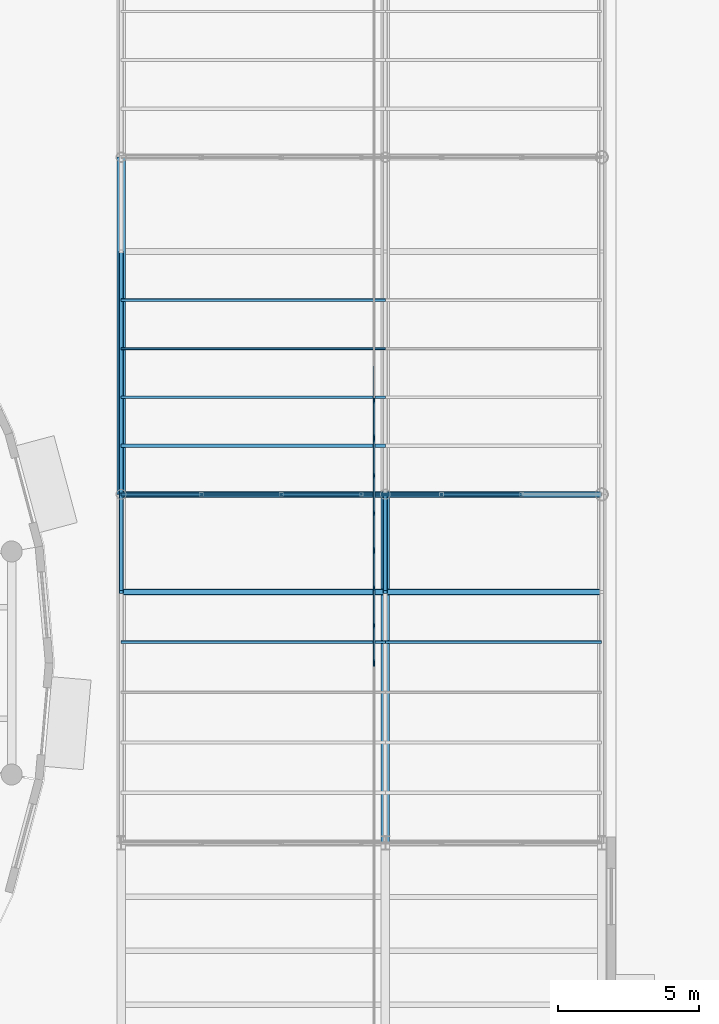
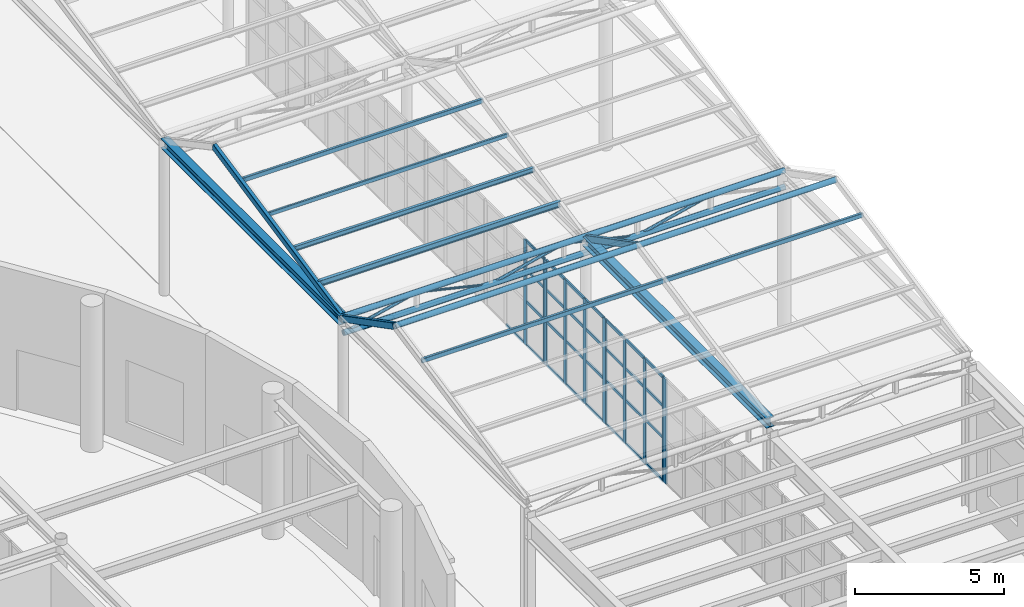
# One storey, part 42 of 118: 57 members, 2 beams, 4 elements without a shape of their own.
"""IFC4 building model written with IfcOpenShell, lengths in metres."""

from ifc_helpers import new_model, si_unit, direction, frame, origin, origin_2d, place, context, subcontext, project, spatial, rectangle, hollow_rectangle, hollow_circle, i_section, extrude, material, material_profile, profile_set, type_object, element, aggregate, save


model = new_model("IFC4")

# Units and contexts
model_context = context("Model", 3, precision=1e-05, world=origin(), true_north=direction((0.0, 1.0)))
body_context = subcontext(model_context, "Body", "Model", "MODEL_VIEW")
ifc_project = project(units=[si_unit("LENGTHUNIT", "METRE"), si_unit("AREAUNIT", "SQUARE_METRE"), si_unit("VOLUMEUNIT", "CUBIC_METRE"), si_unit("PLANEANGLEUNIT", "RADIAN"), si_unit("MASSUNIT", "GRAM", prefix="KILO")], contexts=[model_context])

# Site, building, storey
site_placement = place(None, origin())
site = spatial("IfcSite", under=ifc_project, at=site_placement, CompositionType="ELEMENT")
building_placement = place(site_placement, origin())
building = spatial("IfcBuilding", under=site, at=building_placement, Name="Kolvaren Corner Interchange", CompositionType="ELEMENT")
storey_placement = place(building_placement, origin())
storey = spatial("IfcBuildingStorey", under=building, at=storey_placement, Name="L01", CompositionType="ELEMENT", Elevation=0.0)

# Beams
ifc_material_1 = material(Name="Steel S355", Category="steel")
ifc_material_profile_1 = material_profile(ifc_material_1, i_section(OverallWidth=0.300048828125, OverallDepth=0.389892578125, WebThickness=0.010986328125, FlangeThickness=0.01904296875, FilletRadius=0.027099609375, at=origin_2d()), Name="HEA 400")
ifc_profile_set_1 = profile_set([ifc_material_profile_1], Name="Steel S355")
beam_type = type_object("IfcBeamType", Name="BM-HEA400", PredefinedType="BEAM", material=ifc_profile_set_1)
beam_1_placement = place(storey_placement, frame((146.39990234375, 54.0, 6.199951171875), z_axis=(0.0, 1.0, 0.0), x_axis=(-1.0, 0.0, 0.0)))
element("IfcBeam", 1, at=beam_1_placement, inside=storey, type_object=beam_type, Name="Bus Canopy Eaves Girder 008", PredefinedType="BEAM", context=body_context, shape_type="SweptSolid", body=[
    extrude(i_section(OverallWidth=0.300048828125, OverallDepth=0.389892578125, WebThickness=0.010986328125, FlangeThickness=0.01904296875, FilletRadius=0.027099609375, at=origin_2d()), origin(), (0.0, 0.0, 1.0), 12.0),
])
beam_2_placement = place(storey_placement, frame((155.800048828125, 41.60009765625, 6.199951171875), z_axis=(0.0, 1.0, 0.0), x_axis=(-1.0, 0.0, 0.0)))
element("IfcBeam", 2, at=beam_2_placement, inside=storey, type_object=beam_type, Name="Bus Canopy Eaves Girder 013", PredefinedType="BEAM", context=body_context, shape_type="SweptSolid", body=[
    extrude(i_section(OverallWidth=0.300048828125, OverallDepth=0.389892578125, WebThickness=0.010986328125, FlangeThickness=0.01904296875, FilletRadius=0.027099609375, at=origin_2d()), origin(), (0.0, 0.0, 1.0), 12.39990234375),
])

# Members
ifc_material_2 = material(Name="Steel S355", Category="steel")
ifc_material_profile_2 = material_profile(ifc_material_2, hollow_circle(Radius=0.05712890625, WallThickness=0.00634765625, at=origin_2d()), Name="CHS 114.3x6.3")
ifc_profile_set_2 = profile_set([ifc_material_profile_2], Name="Steel S355")
member_type_1 = type_object("IfcMemberType", Name="MEM-BR-CHS114", PredefinedType="BRACE", material=ifc_profile_set_2)
member_1_placement = place(storey_placement, frame((146.39990234375, 54.0, 5.64990234375), z_axis=(0.973451058965, 0.0, 0.228895250716), x_axis=(0.0, 1.0, 0.0)))
element("IfcMember", 3, at=member_1_placement, inside=storey, type_object=member_type_1, Name="Bus Canopy Sawtooth Roof Truss 02 Web Diagonal 01", PredefinedType="BRACE", context=body_context, shape_type="SweptSolid", body=[
    extrude(hollow_circle(Radius=0.05712890625, WallThickness=0.00634765625, at=origin_2d()), origin(), (0.0, 0.0, 1.0), 2.927734375),
])
for number, where, z_axis, x_axis, name in (
    (4, (152.10009765625, 54.0, 5.64990234375), (0.973446689574, 0.0, 0.228913832167), (0.0, 1.0, 0.0), "Bus Canopy Sawtooth Roof Truss 02 Web Diagonal 03"),
    (5, (157.800048828125, 54.0, 5.64990234375), (0.973446689574, 0.0, 0.228913832167), (0.0, 1.0, 0.0), "Bus Canopy Sawtooth Roof Truss 02 Web Diagonal 05"),
):
    element("IfcMember", number, at=place(storey_placement, frame(where, z_axis=z_axis, x_axis=x_axis)), inside=storey, type_object=member_type_1, Name=name, PredefinedType="BRACE", context=body_context, shape_type="SweptSolid", body=[
        extrude(hollow_circle(Radius=0.05712890625, WallThickness=0.00634765625, at=origin_2d()), origin(), (0.0, 0.0, 1.0), 2.927490234375),
    ])
ifc_material_3 = material(Name="Steel S355", Category="steel")
ifc_material_profile_3 = material_profile(ifc_material_3, hollow_circle(Radius=0.04443359375, WallThickness=0.0048828125, at=origin_2d()), Name="CHS 88.9x5.0")
ifc_profile_set_3 = profile_set([ifc_material_profile_3], Name="Steel S355")
member_type_2 = type_object("IfcMemberType", Name="MEM-BR-CHS89", PredefinedType="BRACE", material=ifc_profile_set_3)
for number, where, z_axis, x_axis, name in (
    (6, (149.25, 54.0, 6.320068359375), (0.973451058965, 0.0, -0.228895250716), (0.0, 1.0, 0.0), "Bus Canopy Sawtooth Roof Truss 02 Web Diagonal 02"),
    (7, (154.949951171875, 54.0, 6.320068359375), (0.973451058965, 0.0, -0.228895250716), (0.0, 1.0, 0.0), "Bus Canopy Sawtooth Roof Truss 02 Web Diagonal 04"),
):
    element("IfcMember", number, at=place(storey_placement, frame(where, z_axis=z_axis, x_axis=x_axis)), inside=storey, type_object=member_type_2, Name=name, PredefinedType="BRACE", context=body_context, shape_type="SweptSolid", body=[
        extrude(hollow_circle(Radius=0.04443359375, WallThickness=0.0048828125, at=origin_2d()), origin(), (0.0, 0.0, 1.0), 2.927734375),
    ])
ifc_material_4 = material(Name="Steel S355", Category="steel")
ifc_material_profile_4 = material_profile(ifc_material_4, hollow_circle(Radius=0.109619140625, WallThickness=0.010009765625, at=origin_2d()), Name="CHS 219.1x10.0")
ifc_profile_set_4 = profile_set([ifc_material_profile_4], Name="Steel S355")
member_type_3 = type_object("IfcMemberType", Name="MEM-CH-CHS219", PredefinedType="CHORD", material=ifc_profile_set_4)
for number, where, z_axis, x_axis, name in (
    (8, (146.39990234375, 54.0, 5.64990234375), (1.0, 0.0, 0.0), (0.0, 1.0, 0.0), "Bus Canopy Sawtooth Roof Truss 02 Bottom Chord"),
    (9, (146.39990234375, 54.0, 6.320068359375), (1.0, 0.0, 0.0), (0.0, 1.0, 0.0), "Bus Canopy Sawtooth Roof Truss 02 Top Chord"),
    (10, (146.39990234375, 50.528076171875, 8.050048828125), (1.0, 0.0, 0.0), (0.0, 1.0, 0.0), "Bus Canopy Sawtooth Roof Truss Ridge Chord 01"),
):
    element("IfcMember", number, at=place(storey_placement, frame(where, z_axis=z_axis, x_axis=x_axis)), inside=storey, type_object=member_type_3, Name=name, PredefinedType="CHORD", context=body_context, shape_type="SweptSolid", body=[
        extrude(hollow_circle(Radius=0.109619140625, WallThickness=0.010009765625, at=origin_2d()), origin(), (0.0, 0.0, 1.0), 17.10009765625),
    ])
ifc_material_5 = material(Name="Steel S355", Category="steel")
ifc_material_profile_5 = material_profile(ifc_material_5, i_section(OverallWidth=0.10009765625, OverallDepth=0.199951171875, WebThickness=0.005615234375, FlangeThickness=0.008544921875, FilletRadius=0.011962890625, at=origin_2d()), Name="IPE 200")
ifc_profile_set_5 = profile_set([ifc_material_profile_5], Name="Steel S355")
member_type_4 = type_object("IfcMemberType", Name="MEM-PR-IPE200", PredefinedType="PURLIN", material=ifc_profile_set_5)
member_2_placement = place(storey_placement, frame((146.39990234375, 57.4560546875, 6.97998046875), z_axis=(1.0, 0.0, 0.0), x_axis=(0.0, 1.0, 0.0)))
element("IfcMember", 11, at=member_2_placement, inside=storey, type_object=member_type_4, Name="Bus Canopy Sawtooth Purlin 02 Row 2 Bay 146", PredefinedType="PURLIN", context=body_context, shape_type="SweptSolid", body=[
    extrude(i_section(OverallWidth=0.10009765625, OverallDepth=0.199951171875, WebThickness=0.005615234375, FlangeThickness=0.008544921875, FilletRadius=0.011962890625, at=origin_2d()), origin(), (0.0, 0.0, 1.0), 9.400146484375),
])
ifc_material_6 = material(Name="Steel S355", Category="steel")
ifc_material_profile_6 = material_profile(ifc_material_6, i_section(OverallWidth=0.1201171875, OverallDepth=0.239990234375, WebThickness=0.006103515625, FlangeThickness=0.009765625, FilletRadius=0.014892578125, at=origin_2d()), Name="IPE 240")
ifc_profile_set_6 = profile_set([ifc_material_profile_6], Name="Steel S355")
member_type_5 = type_object("IfcMemberType", Name="MEM-PR-IPE240", PredefinedType="PURLIN", material=ifc_profile_set_6)
member_3_placement = place(storey_placement, frame((146.39990234375, 55.72802734375, 6.6201171875), z_axis=(1.0, 0.0, 0.0), x_axis=(0.0, 1.0, 0.0)))
element("IfcMember", 12, at=member_3_placement, inside=storey, type_object=member_type_5, Name="Bus Canopy Sawtooth Purlin 02 Row 1 Bay 146", PredefinedType="PURLIN", context=body_context, shape_type="SweptSolid", body=[
    extrude(i_section(OverallWidth=0.1201171875, OverallDepth=0.239990234375, WebThickness=0.006103515625, FlangeThickness=0.009765625, FilletRadius=0.014892578125, at=origin_2d()), origin(), (0.0, 0.0, 1.0), 9.400146484375),
])
ifc_material_7 = material(Name="Steel S355", Category="steel")
ifc_material_profile_7 = material_profile(ifc_material_7, hollow_rectangle(XDim=0.080078125, YDim=0.159912109375, WallThickness=0.00634765625, InnerFilletRadius=0.00634765625, OuterFilletRadius=0.0126953125, at=origin_2d()), Name="RHS 160x80x6.3")
ifc_profile_set_7 = profile_set([ifc_material_profile_7], Name="Steel S355")
member_type_6 = type_object("IfcMemberType", Name="MEM-PR-RHS160", PredefinedType="PURLIN", material=ifc_profile_set_7)
member_4_placement = place(storey_placement, frame((146.39990234375, 59.18408203125, 7.340087890625), z_axis=(1.0, 0.0, 0.0), x_axis=(0.0, 1.0, 0.0)))
element("IfcMember", 13, at=member_4_placement, inside=storey, type_object=member_type_6, Name="Bus Canopy Sawtooth Purlin 02 Row 3 Bay 146", PredefinedType="PURLIN", context=body_context, shape_type="SweptSolid", body=[
    extrude(hollow_rectangle(XDim=0.080078125, YDim=0.159912109375, WallThickness=0.00634765625, InnerFilletRadius=0.00634765625, OuterFilletRadius=0.0126953125, at=origin_2d()), origin(), (0.0, 0.0, 1.0), 9.400146484375),
])
ifc_material_8 = material(Name="Steel S355", Category="steel")
ifc_material_profile_8 = material_profile(ifc_material_8, hollow_rectangle(XDim=0.10009765625, YDim=0.179931640625, WallThickness=0.008056640625, InnerFilletRadius=0.008056640625, OuterFilletRadius=0.01611328125, at=origin_2d()), Name="RHS 180x100x8.0")
ifc_profile_set_8 = profile_set([ifc_material_profile_8], Name="Steel S355")
member_type_7 = type_object("IfcMemberType", Name="MEM-PR-RHS180", PredefinedType="PURLIN", material=ifc_profile_set_8)
member_5_placement = place(storey_placement, frame((146.39990234375, 48.742431640625, 7.699951171875), z_axis=(1.0, 0.0, 0.0), x_axis=(0.0, 1.0, 0.0)))
element("IfcMember", 14, at=member_5_placement, inside=storey, type_object=member_type_7, Name="Bus Canopy Sawtooth Purlin 01 Row 4 Bay 146", PredefinedType="PURLIN", context=body_context, shape_type="SweptSolid", body=[
    extrude(hollow_rectangle(XDim=0.10009765625, YDim=0.179931640625, WallThickness=0.008056640625, InnerFilletRadius=0.008056640625, OuterFilletRadius=0.01611328125, at=origin_2d()), origin(), (0.0, 0.0, 1.0), 9.400146484375),
])
member_6_placement = place(storey_placement, frame((155.800048828125, 48.742431640625, 7.699951171875), z_axis=(1.0, 0.0, 0.0), x_axis=(0.0, 1.0, 0.0)))
element("IfcMember", 15, at=member_6_placement, inside=storey, type_object=member_type_7, Name="Bus Canopy Sawtooth Purlin 01 Row 4 Bay 155", PredefinedType="PURLIN", context=body_context, shape_type="SweptSolid", body=[
    extrude(hollow_rectangle(XDim=0.10009765625, YDim=0.179931640625, WallThickness=0.008056640625, InnerFilletRadius=0.008056640625, OuterFilletRadius=0.01611328125, at=origin_2d()), origin(), (0.0, 0.0, 1.0), 7.699951171875),
])
member_7_placement = place(storey_placement, frame((146.39990234375, 60.912109375, 7.699951171875), z_axis=(1.0, 0.0, 0.0), x_axis=(0.0, 1.0, 0.0)))
element("IfcMember", 16, at=member_7_placement, inside=storey, type_object=member_type_7, Name="Bus Canopy Sawtooth Purlin 02 Row 4 Bay 146", PredefinedType="PURLIN", context=body_context, shape_type="SweptSolid", body=[
    extrude(hollow_rectangle(XDim=0.10009765625, YDim=0.179931640625, WallThickness=0.008056640625, InnerFilletRadius=0.008056640625, OuterFilletRadius=0.01611328125, at=origin_2d()), origin(), (0.0, 0.0, 1.0), 9.400146484375),
])
ifc_material_9 = material(Name="Steel S355", Category="steel")
ifc_material_profile_9 = material_profile(ifc_material_9, hollow_rectangle(XDim=0.14990234375, YDim=0.25, WallThickness=0.010009765625, InnerFilletRadius=0.010009765625, OuterFilletRadius=0.02001953125, at=origin_2d()), Name="RHS 250x150x10.0")
ifc_profile_set_9 = profile_set([ifc_material_profile_9], Name="Steel S355")
member_type_8 = type_object("IfcMemberType", Name="MEM-RF-RHS250", PredefinedType="RAFTER", material=ifc_profile_set_9)
for number, where, z_axis, x_axis, name in (
    (17, (146.39990234375, 50.528076171875, 8.050048828125), (0.0, 0.887776261851, -0.460275253402), (-1.0, 0.0, 0.0), "Bus Canopy Sawtooth North Rafter 01 Line 1"),
    (18, (155.800048828125, 50.528076171875, 8.050048828125), (0.0, 0.887776261851, -0.460275253402), (-1.0, 0.0, 0.0), "Bus Canopy Sawtooth North Rafter 01 Line 2"),
):
    element("IfcMember", number, at=place(storey_placement, frame(where, z_axis=z_axis, x_axis=x_axis)), inside=storey, type_object=member_type_8, Name=name, PredefinedType="RAFTER", context=body_context, shape_type="SweptSolid", body=[
        extrude(hollow_rectangle(XDim=0.14990234375, YDim=0.25, WallThickness=0.010009765625, InnerFilletRadius=0.010009765625, OuterFilletRadius=0.02001953125, at=origin_2d()), origin(), (0.0, 0.0, 1.0), 3.910888671875),
    ])
member_8_placement = place(storey_placement, frame((146.39990234375, 54.0, 6.25), z_axis=(0.0, 0.978978808696, 0.20396198696), x_axis=(-1.0, 0.0, 0.0)))
element("IfcMember", 19, at=member_8_placement, inside=storey, type_object=member_type_8, Name="Bus Canopy Sawtooth South Rafter 02 Line 1", PredefinedType="RAFTER", context=body_context, shape_type="SweptSolid", body=[
    extrude(hollow_rectangle(XDim=0.14990234375, YDim=0.25, WallThickness=0.010009765625, InnerFilletRadius=0.010009765625, OuterFilletRadius=0.02001953125, at=origin_2d()), origin(), (0.0, 0.0, 1.0), 8.825439453125),
])

# Curtain wall, member
ifc_material_10 = material(Name="Unitised Aluminium and Solar-Control Glass Curtain Wall", Category="aluminium")
curtain_wall_type = type_object("IfcCurtainWallType", Name="CW-V4-BOARD", PredefinedType="NOTDEFINED", material=ifc_material_10)
curtain_wall_1_placement = place(storey_placement, origin())
curtain_wall_1 = element("IfcCurtainWall", 20, at=curtain_wall_1_placement, inside=storey, type_object=curtain_wall_type, Name="Bus Island East Boarding Curtain Wall Bay 05", PredefinedType="NOTDEFINED")
ifc_material_11 = material(Name="Anodised Aluminium Framing", Category="aluminium")
ifc_material_profile_10 = material_profile(ifc_material_11, rectangle(XDim=0.06005859375, YDim=0.179931640625, at=origin_2d()), Name="ALU 60x180")
ifc_profile_set_10 = profile_set([ifc_material_profile_10], Name="Anodised Aluminium Framing")
member_type_9 = type_object("IfcMemberType", Name="MUL-ALU60x180", PredefinedType="MULLION", material=ifc_profile_set_10)
member_9_placement = place(storey_placement, frame((155.39990234375, 47.969970703125, 0.0), z_axis=(0.0, 0.0, 1.0), x_axis=(-1.0, 0.0, 0.0)))
member_9 = element("IfcMember", 21, at=member_9_placement, type_object=member_type_9, Name="CW-142 mullion 4", PredefinedType="MULLION", context=body_context, shape_type="SweptSolid", body=[
    extrude(rectangle(XDim=0.06005859375, YDim=0.179931640625, at=origin_2d()), origin(), (0.0, 0.0, 1.0), 4.300048828125),
])
aggregate(curtain_wall_1, [member_9])

# Curtain wall, members
curtain_wall_2_placement = place(storey_placement, origin())
curtain_wall_2 = element("IfcCurtainWall", 22, at=curtain_wall_2_placement, inside=storey, type_object=curtain_wall_type, Name="Bus Island East Boarding Curtain Wall Bay 06", PredefinedType="NOTDEFINED")
member_10_placement = place(storey_placement, frame((155.39990234375, 48.030029296875, 0.0), z_axis=(0.0, 0.0, 1.0), x_axis=(-1.0, 0.0, 0.0)))
member_10 = element("IfcMember", 23, at=member_10_placement, type_object=member_type_9, Name="CW-143 mullion 1", PredefinedType="MULLION", context=body_context, shape_type="SweptSolid", body=[
    extrude(rectangle(XDim=0.06005859375, YDim=0.179931640625, at=origin_2d()), origin(), (0.0, 0.0, 1.0), 4.300048828125),
])
member_11_placement = place(storey_placement, frame((155.39990234375, 49.333251953125, 0.0), z_axis=(0.0, 0.0, 1.0), x_axis=(-1.0, 0.0, 0.0)))
member_11 = element("IfcMember", 24, at=member_11_placement, type_object=member_type_9, Name="CW-143 mullion 2", PredefinedType="MULLION", context=body_context, shape_type="SweptSolid", body=[
    extrude(rectangle(XDim=0.06005859375, YDim=0.179931640625, at=origin_2d()), origin(), (0.0, 0.0, 1.0), 4.300048828125),
])
member_12_placement = place(storey_placement, frame((155.39990234375, 50.666748046875, 0.0), z_axis=(0.0, 0.0, 1.0), x_axis=(-1.0, 0.0, 0.0)))
member_12 = element("IfcMember", 25, at=member_12_placement, type_object=member_type_9, Name="CW-143 mullion 3", PredefinedType="MULLION", context=body_context, shape_type="SweptSolid", body=[
    extrude(rectangle(XDim=0.06005859375, YDim=0.179931640625, at=origin_2d()), origin(), (0.0, 0.0, 1.0), 4.300048828125),
])
member_13_placement = place(storey_placement, frame((155.39990234375, 51.969970703125, 0.0), z_axis=(0.0, 0.0, 1.0), x_axis=(-1.0, 0.0, 0.0)))
member_13 = element("IfcMember", 26, at=member_13_placement, type_object=member_type_9, Name="CW-143 mullion 4", PredefinedType="MULLION", context=body_context, shape_type="SweptSolid", body=[
    extrude(rectangle(XDim=0.06005859375, YDim=0.179931640625, at=origin_2d()), origin(), (0.0, 0.0, 1.0), 4.300048828125),
])

curtain_wall_3_placement = place(storey_placement, origin())
curtain_wall_3 = element("IfcCurtainWall", 27, at=curtain_wall_3_placement, inside=storey, type_object=curtain_wall_type, Name="Bus Island East Boarding Curtain Wall Bay 07", PredefinedType="NOTDEFINED")
member_14_placement = place(storey_placement, frame((155.39990234375, 52.030029296875, 0.0), z_axis=(0.0, 0.0, 1.0), x_axis=(-1.0, 0.0, 0.0)))
member_14 = element("IfcMember", 28, at=member_14_placement, type_object=member_type_9, Name="CW-144 mullion 1", PredefinedType="MULLION", context=body_context, shape_type="SweptSolid", body=[
    extrude(rectangle(XDim=0.06005859375, YDim=0.179931640625, at=origin_2d()), origin(), (0.0, 0.0, 1.0), 4.300048828125),
])
member_15_placement = place(storey_placement, frame((155.39990234375, 53.333251953125, 0.0), z_axis=(0.0, 0.0, 1.0), x_axis=(-1.0, 0.0, 0.0)))
member_15 = element("IfcMember", 29, at=member_15_placement, type_object=member_type_9, Name="CW-144 mullion 2", PredefinedType="MULLION", context=body_context, shape_type="SweptSolid", body=[
    extrude(rectangle(XDim=0.06005859375, YDim=0.179931640625, at=origin_2d()), origin(), (0.0, 0.0, 1.0), 4.300048828125),
])
member_16_placement = place(storey_placement, frame((155.39990234375, 54.666748046875, 0.0), z_axis=(0.0, 0.0, 1.0), x_axis=(-1.0, 0.0, 0.0)))
member_16 = element("IfcMember", 30, at=member_16_placement, type_object=member_type_9, Name="CW-144 mullion 3", PredefinedType="MULLION", context=body_context, shape_type="SweptSolid", body=[
    extrude(rectangle(XDim=0.06005859375, YDim=0.179931640625, at=origin_2d()), origin(), (0.0, 0.0, 1.0), 4.300048828125),
])
member_17_placement = place(storey_placement, frame((155.39990234375, 55.969970703125, 0.0), z_axis=(0.0, 0.0, 1.0), x_axis=(-1.0, 0.0, 0.0)))
member_17 = element("IfcMember", 31, at=member_17_placement, type_object=member_type_9, Name="CW-144 mullion 4", PredefinedType="MULLION", context=body_context, shape_type="SweptSolid", body=[
    extrude(rectangle(XDim=0.06005859375, YDim=0.179931640625, at=origin_2d()), origin(), (0.0, 0.0, 1.0), 4.300048828125),
])

curtain_wall_4_placement = place(storey_placement, origin())
curtain_wall_4 = element("IfcCurtainWall", 32, at=curtain_wall_4_placement, inside=storey, type_object=curtain_wall_type, Name="Bus Island East Boarding Curtain Wall Bay 08", PredefinedType="NOTDEFINED")
member_18_placement = place(storey_placement, frame((155.39990234375, 56.030029296875, 0.0), z_axis=(0.0, 0.0, 1.0), x_axis=(-1.0, 0.0, 0.0)))
member_18 = element("IfcMember", 33, at=member_18_placement, type_object=member_type_9, Name="CW-145 mullion 1", PredefinedType="MULLION", context=body_context, shape_type="SweptSolid", body=[
    extrude(rectangle(XDim=0.06005859375, YDim=0.179931640625, at=origin_2d()), origin(), (0.0, 0.0, 1.0), 4.300048828125),
])
member_19_placement = place(storey_placement, frame((155.39990234375, 57.333251953125, 0.0), z_axis=(0.0, 0.0, 1.0), x_axis=(-1.0, 0.0, 0.0)))
member_19 = element("IfcMember", 34, at=member_19_placement, type_object=member_type_9, Name="CW-145 mullion 2", PredefinedType="MULLION", context=body_context, shape_type="SweptSolid", body=[
    extrude(rectangle(XDim=0.06005859375, YDim=0.179931640625, at=origin_2d()), origin(), (0.0, 0.0, 1.0), 4.300048828125),
])

# Member
ifc_material_12 = material(Name="Anodised Aluminium Framing", Category="aluminium")
ifc_material_profile_11 = material_profile(ifc_material_12, rectangle(XDim=0.054931640625, YDim=0.1201171875, at=origin_2d()), Name="ALU 55x120")
ifc_profile_set_11 = profile_set([ifc_material_profile_11], Name="Anodised Aluminium Framing")
member_type_10 = type_object("IfcMemberType", Name="TRN-ALU55x120", PredefinedType="USERDEFINED", material=ifc_profile_set_11)
member_20_placement = place(storey_placement, frame((155.39990234375, 48.06005859375, 0.027587890625), z_axis=(0.0, 1.0, 0.0), x_axis=(-1.0, 0.0, 0.0)))
member_20 = element("IfcMember", 35, at=member_20_placement, type_object=member_type_10, Name="CW-143 transom 1.1", ObjectType="TRANSOM", PredefinedType="USERDEFINED", context=body_context, shape_type="SweptSolid", body=[
    extrude(rectangle(XDim=0.054931640625, YDim=0.1201171875, at=origin_2d()), origin(), (0.0, 0.0, 1.0), 1.2431640625),
])

member_21_placement = place(storey_placement, frame((155.39990234375, 48.06005859375, 1.800048828125), z_axis=(0.0, 1.0, 0.0), x_axis=(-1.0, 0.0, 0.0)))
member_21 = element("IfcMember", 36, at=member_21_placement, type_object=member_type_10, Name="CW-143 transom 1.2", ObjectType="TRANSOM", PredefinedType="USERDEFINED", context=body_context, shape_type="SweptSolid", body=[
    extrude(rectangle(XDim=0.054931640625, YDim=0.1201171875, at=origin_2d()), origin(), (0.0, 0.0, 1.0), 1.2431640625),
])

member_22_placement = place(storey_placement, frame((155.39990234375, 48.06005859375, 3.10009765625), z_axis=(0.0, 1.0, 0.0), x_axis=(-1.0, 0.0, 0.0)))
member_22 = element("IfcMember", 37, at=member_22_placement, type_object=member_type_10, Name="CW-143 transom 1.3", ObjectType="TRANSOM", PredefinedType="USERDEFINED", context=body_context, shape_type="SweptSolid", body=[
    extrude(rectangle(XDim=0.054931640625, YDim=0.1201171875, at=origin_2d()), origin(), (0.0, 0.0, 1.0), 1.2431640625),
])

member_23_placement = place(storey_placement, frame((155.39990234375, 48.06005859375, 4.2724609375), z_axis=(0.0, 1.0, 0.0), x_axis=(-1.0, 0.0, 0.0)))
member_23 = element("IfcMember", 38, at=member_23_placement, type_object=member_type_10, Name="CW-143 transom 1.4", ObjectType="TRANSOM", PredefinedType="USERDEFINED", context=body_context, shape_type="SweptSolid", body=[
    extrude(rectangle(XDim=0.054931640625, YDim=0.1201171875, at=origin_2d()), origin(), (0.0, 0.0, 1.0), 1.2431640625),
])

member_24_placement = place(storey_placement, frame((155.39990234375, 49.36328125, 0.027587890625), z_axis=(0.0, 1.0, 0.0), x_axis=(-1.0, 0.0, 0.0)))
member_24 = element("IfcMember", 39, at=member_24_placement, type_object=member_type_10, Name="CW-143 transom 2.1", ObjectType="TRANSOM", PredefinedType="USERDEFINED", context=body_context, shape_type="SweptSolid", body=[
    extrude(rectangle(XDim=0.054931640625, YDim=0.1201171875, at=origin_2d()), origin(), (0.0, 0.0, 1.0), 1.2734375),
])

member_25_placement = place(storey_placement, frame((155.39990234375, 49.36328125, 1.800048828125), z_axis=(0.0, 1.0, 0.0), x_axis=(-1.0, 0.0, 0.0)))
member_25 = element("IfcMember", 40, at=member_25_placement, type_object=member_type_10, Name="CW-143 transom 2.2", ObjectType="TRANSOM", PredefinedType="USERDEFINED", context=body_context, shape_type="SweptSolid", body=[
    extrude(rectangle(XDim=0.054931640625, YDim=0.1201171875, at=origin_2d()), origin(), (0.0, 0.0, 1.0), 1.2734375),
])

member_26_placement = place(storey_placement, frame((155.39990234375, 49.36328125, 3.10009765625), z_axis=(0.0, 1.0, 0.0), x_axis=(-1.0, 0.0, 0.0)))
member_26 = element("IfcMember", 41, at=member_26_placement, type_object=member_type_10, Name="CW-143 transom 2.3", ObjectType="TRANSOM", PredefinedType="USERDEFINED", context=body_context, shape_type="SweptSolid", body=[
    extrude(rectangle(XDim=0.054931640625, YDim=0.1201171875, at=origin_2d()), origin(), (0.0, 0.0, 1.0), 1.2734375),
])

member_27_placement = place(storey_placement, frame((155.39990234375, 49.36328125, 4.2724609375), z_axis=(0.0, 1.0, 0.0), x_axis=(-1.0, 0.0, 0.0)))
member_27 = element("IfcMember", 42, at=member_27_placement, type_object=member_type_10, Name="CW-143 transom 2.4", ObjectType="TRANSOM", PredefinedType="USERDEFINED", context=body_context, shape_type="SweptSolid", body=[
    extrude(rectangle(XDim=0.054931640625, YDim=0.1201171875, at=origin_2d()), origin(), (0.0, 0.0, 1.0), 1.2734375),
])

member_28_placement = place(storey_placement, frame((155.39990234375, 50.69677734375, 0.027587890625), z_axis=(0.0, 1.0, 0.0), x_axis=(-1.0, 0.0, 0.0)))
member_28 = element("IfcMember", 43, at=member_28_placement, type_object=member_type_10, Name="CW-143 transom 3.1", ObjectType="TRANSOM", PredefinedType="USERDEFINED", context=body_context, shape_type="SweptSolid", body=[
    extrude(rectangle(XDim=0.054931640625, YDim=0.1201171875, at=origin_2d()), origin(), (0.0, 0.0, 1.0), 1.2431640625),
])

member_29_placement = place(storey_placement, frame((155.39990234375, 50.69677734375, 1.800048828125), z_axis=(0.0, 1.0, 0.0), x_axis=(-1.0, 0.0, 0.0)))
member_29 = element("IfcMember", 44, at=member_29_placement, type_object=member_type_10, Name="CW-143 transom 3.2", ObjectType="TRANSOM", PredefinedType="USERDEFINED", context=body_context, shape_type="SweptSolid", body=[
    extrude(rectangle(XDim=0.054931640625, YDim=0.1201171875, at=origin_2d()), origin(), (0.0, 0.0, 1.0), 1.2431640625),
])

member_30_placement = place(storey_placement, frame((155.39990234375, 50.69677734375, 3.10009765625), z_axis=(0.0, 1.0, 0.0), x_axis=(-1.0, 0.0, 0.0)))
member_30 = element("IfcMember", 45, at=member_30_placement, type_object=member_type_10, Name="CW-143 transom 3.3", ObjectType="TRANSOM", PredefinedType="USERDEFINED", context=body_context, shape_type="SweptSolid", body=[
    extrude(rectangle(XDim=0.054931640625, YDim=0.1201171875, at=origin_2d()), origin(), (0.0, 0.0, 1.0), 1.2431640625),
])

member_31_placement = place(storey_placement, frame((155.39990234375, 50.69677734375, 4.2724609375), z_axis=(0.0, 1.0, 0.0), x_axis=(-1.0, 0.0, 0.0)))
member_31 = element("IfcMember", 46, at=member_31_placement, type_object=member_type_10, Name="CW-143 transom 3.4", ObjectType="TRANSOM", PredefinedType="USERDEFINED", context=body_context, shape_type="SweptSolid", body=[
    extrude(rectangle(XDim=0.054931640625, YDim=0.1201171875, at=origin_2d()), origin(), (0.0, 0.0, 1.0), 1.2431640625),
])

aggregate(curtain_wall_2, [member_10, member_11, member_12, member_13, member_20, member_21, member_22, member_23, member_24, member_25, member_26, member_27, member_28, member_29, member_30, member_31])

member_32_placement = place(storey_placement, frame((155.39990234375, 52.06005859375, 0.027587890625), z_axis=(0.0, 1.0, 0.0), x_axis=(-1.0, 0.0, 0.0)))
member_32 = element("IfcMember", 47, at=member_32_placement, type_object=member_type_10, Name="CW-144 transom 1.1", ObjectType="TRANSOM", PredefinedType="USERDEFINED", context=body_context, shape_type="SweptSolid", body=[
    extrude(rectangle(XDim=0.054931640625, YDim=0.1201171875, at=origin_2d()), origin(), (0.0, 0.0, 1.0), 1.2431640625),
])

member_33_placement = place(storey_placement, frame((155.39990234375, 52.06005859375, 1.800048828125), z_axis=(0.0, 1.0, 0.0), x_axis=(-1.0, 0.0, 0.0)))
member_33 = element("IfcMember", 48, at=member_33_placement, type_object=member_type_10, Name="CW-144 transom 1.2", ObjectType="TRANSOM", PredefinedType="USERDEFINED", context=body_context, shape_type="SweptSolid", body=[
    extrude(rectangle(XDim=0.054931640625, YDim=0.1201171875, at=origin_2d()), origin(), (0.0, 0.0, 1.0), 1.2431640625),
])

member_34_placement = place(storey_placement, frame((155.39990234375, 52.06005859375, 3.10009765625), z_axis=(0.0, 1.0, 0.0), x_axis=(-1.0, 0.0, 0.0)))
member_34 = element("IfcMember", 49, at=member_34_placement, type_object=member_type_10, Name="CW-144 transom 1.3", ObjectType="TRANSOM", PredefinedType="USERDEFINED", context=body_context, shape_type="SweptSolid", body=[
    extrude(rectangle(XDim=0.054931640625, YDim=0.1201171875, at=origin_2d()), origin(), (0.0, 0.0, 1.0), 1.2431640625),
])

member_35_placement = place(storey_placement, frame((155.39990234375, 52.06005859375, 4.2724609375), z_axis=(0.0, 1.0, 0.0), x_axis=(-1.0, 0.0, 0.0)))
member_35 = element("IfcMember", 50, at=member_35_placement, type_object=member_type_10, Name="CW-144 transom 1.4", ObjectType="TRANSOM", PredefinedType="USERDEFINED", context=body_context, shape_type="SweptSolid", body=[
    extrude(rectangle(XDim=0.054931640625, YDim=0.1201171875, at=origin_2d()), origin(), (0.0, 0.0, 1.0), 1.2431640625),
])

member_36_placement = place(storey_placement, frame((155.39990234375, 53.36328125, 0.027587890625), z_axis=(0.0, 1.0, 0.0), x_axis=(-1.0, 0.0, 0.0)))
member_36 = element("IfcMember", 51, at=member_36_placement, type_object=member_type_10, Name="CW-144 transom 2.1", ObjectType="TRANSOM", PredefinedType="USERDEFINED", context=body_context, shape_type="SweptSolid", body=[
    extrude(rectangle(XDim=0.054931640625, YDim=0.1201171875, at=origin_2d()), origin(), (0.0, 0.0, 1.0), 1.2734375),
])

member_37_placement = place(storey_placement, frame((155.39990234375, 53.36328125, 1.800048828125), z_axis=(0.0, 1.0, 0.0), x_axis=(-1.0, 0.0, 0.0)))
member_37 = element("IfcMember", 52, at=member_37_placement, type_object=member_type_10, Name="CW-144 transom 2.2", ObjectType="TRANSOM", PredefinedType="USERDEFINED", context=body_context, shape_type="SweptSolid", body=[
    extrude(rectangle(XDim=0.054931640625, YDim=0.1201171875, at=origin_2d()), origin(), (0.0, 0.0, 1.0), 1.2734375),
])

member_38_placement = place(storey_placement, frame((155.39990234375, 53.36328125, 3.10009765625), z_axis=(0.0, 1.0, 0.0), x_axis=(-1.0, 0.0, 0.0)))
member_38 = element("IfcMember", 53, at=member_38_placement, type_object=member_type_10, Name="CW-144 transom 2.3", ObjectType="TRANSOM", PredefinedType="USERDEFINED", context=body_context, shape_type="SweptSolid", body=[
    extrude(rectangle(XDim=0.054931640625, YDim=0.1201171875, at=origin_2d()), origin(), (0.0, 0.0, 1.0), 1.2734375),
])

member_39_placement = place(storey_placement, frame((155.39990234375, 53.36328125, 4.2724609375), z_axis=(0.0, 1.0, 0.0), x_axis=(-1.0, 0.0, 0.0)))
member_39 = element("IfcMember", 54, at=member_39_placement, type_object=member_type_10, Name="CW-144 transom 2.4", ObjectType="TRANSOM", PredefinedType="USERDEFINED", context=body_context, shape_type="SweptSolid", body=[
    extrude(rectangle(XDim=0.054931640625, YDim=0.1201171875, at=origin_2d()), origin(), (0.0, 0.0, 1.0), 1.2734375),
])

member_40_placement = place(storey_placement, frame((155.39990234375, 54.69677734375, 0.027587890625), z_axis=(0.0, 1.0, 0.0), x_axis=(-1.0, 0.0, 0.0)))
member_40 = element("IfcMember", 55, at=member_40_placement, type_object=member_type_10, Name="CW-144 transom 3.1", ObjectType="TRANSOM", PredefinedType="USERDEFINED", context=body_context, shape_type="SweptSolid", body=[
    extrude(rectangle(XDim=0.054931640625, YDim=0.1201171875, at=origin_2d()), origin(), (0.0, 0.0, 1.0), 1.2431640625),
])

member_41_placement = place(storey_placement, frame((155.39990234375, 54.69677734375, 1.800048828125), z_axis=(0.0, 1.0, 0.0), x_axis=(-1.0, 0.0, 0.0)))
member_41 = element("IfcMember", 56, at=member_41_placement, type_object=member_type_10, Name="CW-144 transom 3.2", ObjectType="TRANSOM", PredefinedType="USERDEFINED", context=body_context, shape_type="SweptSolid", body=[
    extrude(rectangle(XDim=0.054931640625, YDim=0.1201171875, at=origin_2d()), origin(), (0.0, 0.0, 1.0), 1.2431640625),
])

member_42_placement = place(storey_placement, frame((155.39990234375, 54.69677734375, 3.10009765625), z_axis=(0.0, 1.0, 0.0), x_axis=(-1.0, 0.0, 0.0)))
member_42 = element("IfcMember", 57, at=member_42_placement, type_object=member_type_10, Name="CW-144 transom 3.3", ObjectType="TRANSOM", PredefinedType="USERDEFINED", context=body_context, shape_type="SweptSolid", body=[
    extrude(rectangle(XDim=0.054931640625, YDim=0.1201171875, at=origin_2d()), origin(), (0.0, 0.0, 1.0), 1.2431640625),
])

member_43_placement = place(storey_placement, frame((155.39990234375, 54.69677734375, 4.2724609375), z_axis=(0.0, 1.0, 0.0), x_axis=(-1.0, 0.0, 0.0)))
member_43 = element("IfcMember", 58, at=member_43_placement, type_object=member_type_10, Name="CW-144 transom 3.4", ObjectType="TRANSOM", PredefinedType="USERDEFINED", context=body_context, shape_type="SweptSolid", body=[
    extrude(rectangle(XDim=0.054931640625, YDim=0.1201171875, at=origin_2d()), origin(), (0.0, 0.0, 1.0), 1.2431640625),
])

aggregate(curtain_wall_3, [member_14, member_15, member_16, member_17, member_32, member_33, member_34, member_35, member_36, member_37, member_38, member_39, member_40, member_41, member_42, member_43])

member_44_placement = place(storey_placement, frame((155.39990234375, 56.06005859375, 0.027587890625), z_axis=(0.0, 1.0, 0.0), x_axis=(-1.0, 0.0, 0.0)))
member_44 = element("IfcMember", 59, at=member_44_placement, type_object=member_type_10, Name="CW-145 transom 1.1", ObjectType="TRANSOM", PredefinedType="USERDEFINED", context=body_context, shape_type="SweptSolid", body=[
    extrude(rectangle(XDim=0.054931640625, YDim=0.1201171875, at=origin_2d()), origin(), (0.0, 0.0, 1.0), 1.2431640625),
])

member_45_placement = place(storey_placement, frame((155.39990234375, 56.06005859375, 1.800048828125), z_axis=(0.0, 1.0, 0.0), x_axis=(-1.0, 0.0, 0.0)))
member_45 = element("IfcMember", 60, at=member_45_placement, type_object=member_type_10, Name="CW-145 transom 1.2", ObjectType="TRANSOM", PredefinedType="USERDEFINED", context=body_context, shape_type="SweptSolid", body=[
    extrude(rectangle(XDim=0.054931640625, YDim=0.1201171875, at=origin_2d()), origin(), (0.0, 0.0, 1.0), 1.2431640625),
])

member_46_placement = place(storey_placement, frame((155.39990234375, 56.06005859375, 3.10009765625), z_axis=(0.0, 1.0, 0.0), x_axis=(-1.0, 0.0, 0.0)))
member_46 = element("IfcMember", 61, at=member_46_placement, type_object=member_type_10, Name="CW-145 transom 1.3", ObjectType="TRANSOM", PredefinedType="USERDEFINED", context=body_context, shape_type="SweptSolid", body=[
    extrude(rectangle(XDim=0.054931640625, YDim=0.1201171875, at=origin_2d()), origin(), (0.0, 0.0, 1.0), 1.2431640625),
])

member_47_placement = place(storey_placement, frame((155.39990234375, 56.06005859375, 4.2724609375), z_axis=(0.0, 1.0, 0.0), x_axis=(-1.0, 0.0, 0.0)))
member_47 = element("IfcMember", 62, at=member_47_placement, type_object=member_type_10, Name="CW-145 transom 1.4", ObjectType="TRANSOM", PredefinedType="USERDEFINED", context=body_context, shape_type="SweptSolid", body=[
    extrude(rectangle(XDim=0.054931640625, YDim=0.1201171875, at=origin_2d()), origin(), (0.0, 0.0, 1.0), 1.2431640625),
])

member_48_placement = place(storey_placement, frame((155.39990234375, 57.36328125, 0.027587890625), z_axis=(0.0, 1.0, 0.0), x_axis=(-1.0, 0.0, 0.0)))
member_48 = element("IfcMember", 63, at=member_48_placement, type_object=member_type_10, Name="CW-145 transom 2.1", ObjectType="TRANSOM", PredefinedType="USERDEFINED", context=body_context, shape_type="SweptSolid", body=[
    extrude(rectangle(XDim=0.054931640625, YDim=0.1201171875, at=origin_2d()), origin(), (0.0, 0.0, 1.0), 1.2734375),
])

aggregate(curtain_wall_4, [member_18, member_19, member_44, member_45, member_46, member_47, member_48])

save(model, "model.ifc")
